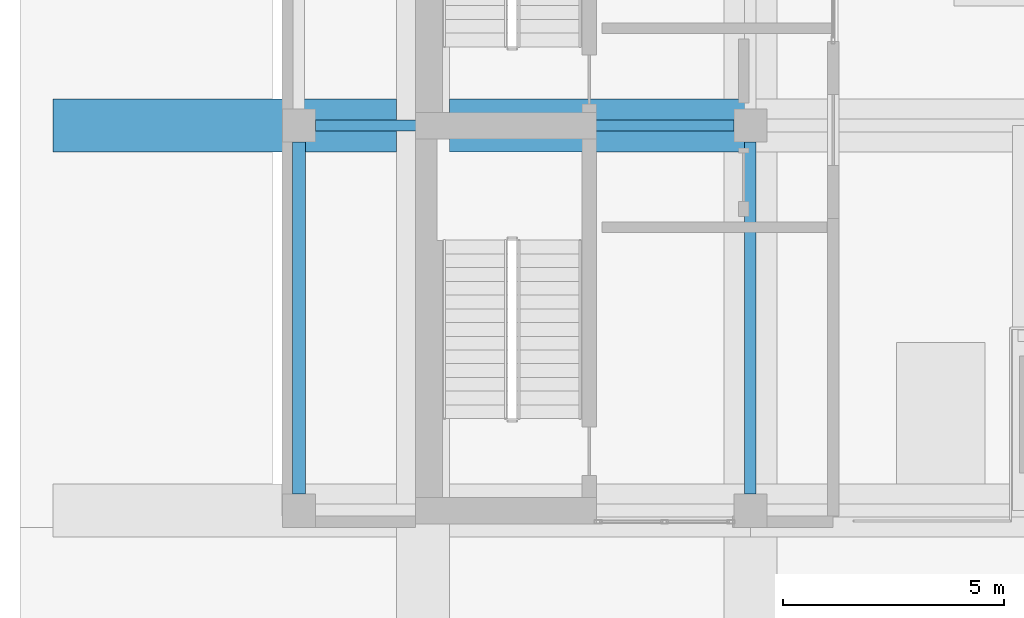
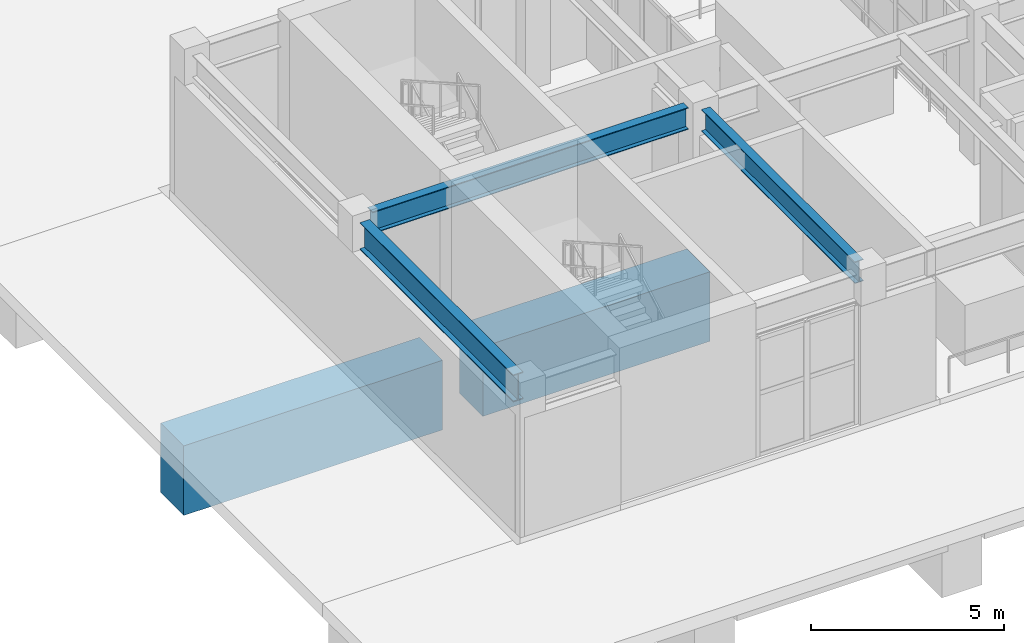
# One storey, part 3 of 16: 5 beams.
"""IFC4 building model written with IfcOpenShell, lengths in metres."""

from ifc_helpers import new_model, si_unit, direction, frame, origin, origin_2d, place, context, subcontext, project, spatial, rectangle, i_section, extrude, material, material_profile, profile_set, type_object, element, save


model = new_model("IFC4")

# Units and contexts
model_context = context("Model", 3, precision=1e-05, world=origin(), true_north=direction((0.0, 1.0)))
body_context = subcontext(model_context, "Body", "Model", "MODEL_VIEW")
ifc_project = project(units=[si_unit("LENGTHUNIT", "METRE"), si_unit("AREAUNIT", "SQUARE_METRE"), si_unit("VOLUMEUNIT", "CUBIC_METRE"), si_unit("PLANEANGLEUNIT", "RADIAN"), si_unit("MASSUNIT", "GRAM", prefix="KILO")], contexts=[model_context])

# Site, building, storey
site_placement = place(None, origin())
site = spatial("IfcSite", under=ifc_project, at=site_placement, CompositionType="ELEMENT")
building_placement = place(site_placement, origin())
building = spatial("IfcBuilding", under=site, at=building_placement, Name="Solanera Arch Residences", CompositionType="ELEMENT")
storey_placement = place(building_placement, frame((0.0, 0.0, 278.080078125)))
storey = spatial("IfcBuildingStorey", under=building, at=storey_placement, Name="L80", CompositionType="ELEMENT", Elevation=278.080078125)

# Beams
ifc_material_1 = material(Name="Steel S355 (ASTM A992 / A572 Grade 50)", Category="steel")
ifc_material_profile_1 = material_profile(ifc_material_1, i_section(OverallWidth=0.256103515625, OverallDepth=0.693115234375, WebThickness=0.014404296875, FlangeThickness=0.023681640625, at=origin_2d()))
ifc_profile_set_1 = profile_set([ifc_material_profile_1], Name="Steel S355 (ASTM A992 / A572 Grade 50)")
beam_type_1 = type_object("IfcBeamType", Name="Primary Beam W690X170", PredefinedType="BEAM", material=ifc_profile_set_1)
beam_1_placement = place(storey_placement, frame((10.97509765625, 30.699951171875, 4.27294921875), z_axis=(1.0, 0.0, 0.0), x_axis=(0.0, 1.0, 0.0)))
element("IfcBeam", 1, at=beam_1_placement, inside=storey, type_object=beam_type_1, Name="BM-L80-CR-WM", PredefinedType="BEAM", context=body_context, shape_type="SweptSolid", body=[
    extrude(i_section(OverallWidth=0.256103515625, OverallDepth=0.693115234375, WebThickness=0.014404296875, FlangeThickness=0.023681640625, at=origin_2d()), origin(), (0.0, 0.0, 1.0), 9.449951171875),
])
beam_2_placement = place(storey_placement, frame((20.800048828125, 22.375, 4.27294921875), z_axis=(0.0, 1.0, 0.0), x_axis=(-1.0, 0.0, 0.0)))
element("IfcBeam", 2, at=beam_2_placement, inside=storey, type_object=beam_type_1, Name="BM-L80-CR-W3", PredefinedType="BEAM", context=body_context, shape_type="SweptSolid", body=[
    extrude(i_section(OverallWidth=0.256103515625, OverallDepth=0.693115234375, WebThickness=0.014404296875, FlangeThickness=0.023681640625, at=origin_2d()), origin(), (0.0, 0.0, 1.0), 7.949951171875),
])
ifc_material_2 = material(Name="Steel S355 (ASTM A992 / A572 Grade 50)", Category="steel")
ifc_material_profile_2 = material_profile(ifc_material_2, i_section(OverallWidth=0.2939453125, OverallDepth=0.85107421875, WebThickness=0.01611328125, FlangeThickness=0.02685546875, at=origin_2d()))
ifc_profile_set_2 = profile_set([ifc_material_profile_2], Name="Steel S355 (ASTM A992 / A572 Grade 50)")
beam_type_2 = type_object("IfcBeamType", Name="Primary Beam W840X226", PredefinedType="BEAM", material=ifc_profile_set_2)
beam_3_placement = place(storey_placement, frame((10.60009765625, 22.375, 4.19384765625), z_axis=(0.0, 1.0, 0.0), x_axis=(-1.0, 0.0, 0.0)))
element("IfcBeam", 3, at=beam_3_placement, inside=storey, type_object=beam_type_2, Name="BM-L80-CR-W1", PredefinedType="BEAM", context=body_context, shape_type="SweptSolid", body=[
    extrude(i_section(OverallWidth=0.2939453125, OverallDepth=0.85107421875, WebThickness=0.01611328125, FlangeThickness=0.02685546875, at=origin_2d()), origin(), (0.0, 0.0, 1.0), 7.949951171875),
])
ifc_material_3 = material(Name="Concrete C55/67 (f'c = 60 MPa)", Category="concrete")
ifc_material_profile_3 = material_profile(ifc_material_3, rectangle(XDim=1.199951171875, YDim=2.199951171875, at=origin_2d()))
ifc_profile_set_3 = profile_set([ifc_material_profile_3], Name="Concrete C55/67 (f'c = 60 MPa)")
beam_type_3 = type_object("IfcBeamType", Name="Transfer Girder RC-BM-1200X2200", PredefinedType="BEAM", material=ifc_profile_set_3)
beam_4_placement = place(storey_placement, frame((5.050048828125, 30.699951171875, -1.52001953125), z_axis=(1.0, 0.0, 0.0), x_axis=(0.0, 1.0, 0.0)))
element("IfcBeam", 4, at=beam_4_placement, inside=storey, type_object=beam_type_3, Name="BM-L80-CRX-EWW-307", PredefinedType="BEAM", context=body_context, shape_type="SweptSolid", body=[
    extrude(rectangle(XDim=1.199951171875, YDim=2.199951171875, at=origin_2d()), origin(), (0.0, 0.0, 1.0), 7.75),
])
beam_5_placement = place(storey_placement, frame((14.0, 30.699951171875, -1.52001953125), z_axis=(1.0, 0.0, 0.0), x_axis=(0.0, 1.0, 0.0)))
element("IfcBeam", 5, at=beam_5_placement, inside=storey, type_object=beam_type_3, Name="BM-L80-CRX-EWCW-307", PredefinedType="BEAM", context=body_context, shape_type="SweptSolid", body=[
    extrude(rectangle(XDim=1.199951171875, YDim=2.199951171875, at=origin_2d()), origin(), (0.0, 0.0, 1.0), 6.800048828125),
])

save(model, "model.ifc")
